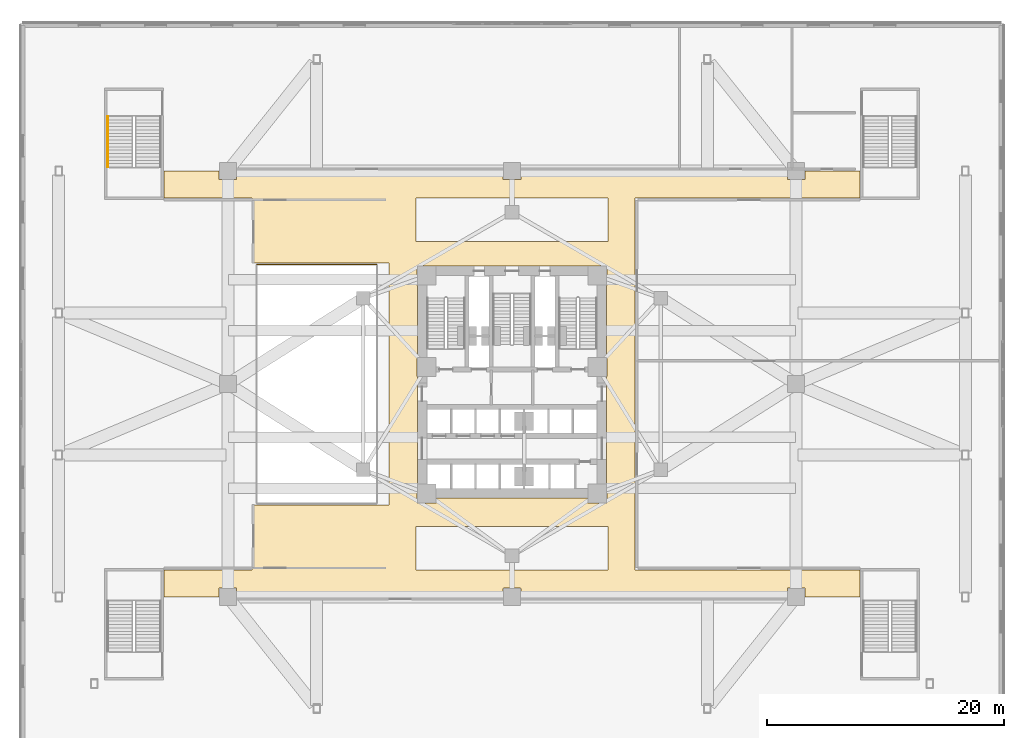
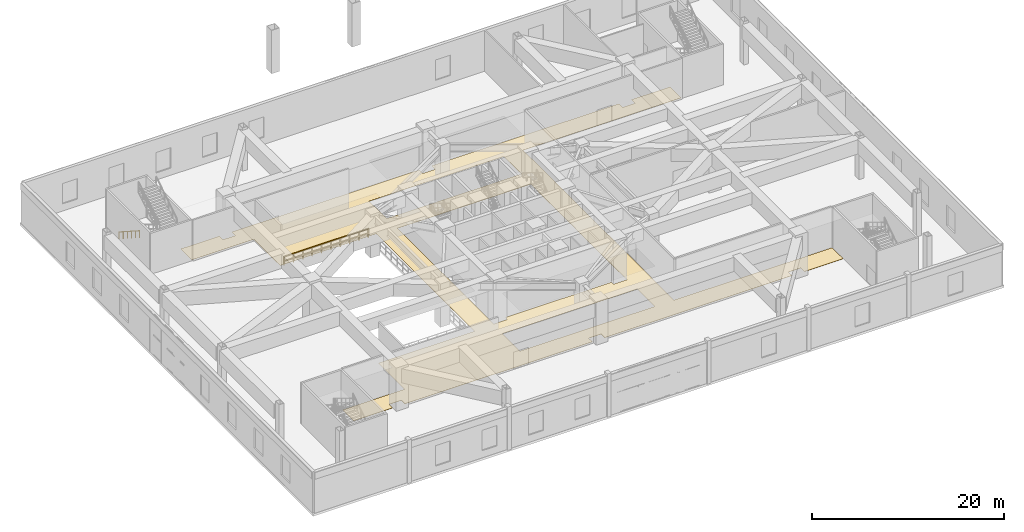
# One storey, part 18 of 23: 2 railings, 1 covering.
"""IFC4 building model written with IfcOpenShell, lengths in metres."""

from ifc_helpers import new_model, si_unit, direction, frame, origin, origin_2d, place, context, subcontext, project, spatial, polyline, rectangle, outline, extrude, material, layer, layer_set, type_object, element, save


model = new_model("IFC4")

# Units and contexts
model_context = context("Model", 3, precision=1e-05, world=origin(), true_north=direction((0.0, 1.0)))
body_context = subcontext(model_context, "Body", "Model", "MODEL_VIEW")
ifc_project = project(units=[si_unit("LENGTHUNIT", "METRE"), si_unit("AREAUNIT", "SQUARE_METRE"), si_unit("VOLUMEUNIT", "CUBIC_METRE"), si_unit("PLANEANGLEUNIT", "RADIAN"), si_unit("MASSUNIT", "GRAM", prefix="KILO")], contexts=[model_context])

# Site, building, storey
site_placement = place(None, origin())
site = spatial("IfcSite", under=ifc_project, at=site_placement, CompositionType="ELEMENT")
building_placement = place(site_placement, origin())
building = spatial("IfcBuilding", under=site, at=building_placement, Name="Apsidion Concourse Tower", CompositionType="ELEMENT")
storey_placement = place(building_placement, frame((0.0, 0.0, 6.0)))
storey = spatial("IfcBuildingStorey", under=building, at=storey_placement, Name="L01", CompositionType="ELEMENT", Elevation=6.0)

# Covering
ifc_material_1 = material(Name="Honed travertine floor finish", Category="masonry")
ifc_layer = layer(ifc_material_1, 0.02001953125)
ifc_layer_set = layer_set([ifc_layer], Name="Honed travertine floor finish")
covering_type = type_object("IfcCoveringType", Name="COV-FLOR-20", PredefinedType="FLOORING", material=ifc_layer_set)
covering_placement = place(storey_placement, origin())
element("IfcCovering", 1, at=covering_placement, inside=storey, type_object=covering_type, Name="L01 Honed Travertine Floor Finish 2", PredefinedType="FLOORING", context=body_context, shape_type="SweptSolid", body=[
    extrude(outline(polyline([(0.7451171875, -18.0), (0.7451171875, -17.27490234375), (0.744873046875, -17.27294921875), (0.74462890625, -17.27099609375), (0.744140625, -17.269287109375), (0.743408203125, -17.267333984375), (0.74267578125, -17.265625), (0.74169921875, -17.263916015625), (0.740478515625, -17.26220703125), (0.739013671875, -17.260986328125), (0.73779296875, -17.259521484375), (0.736083984375, -17.25830078125), (0.734375, -17.25732421875), (0.732666015625, -17.256591796875), (0.730712890625, -17.255859375), (0.72900390625, -17.25537109375), (0.72705078125, -17.255126953125), (0.72509765625, -17.2548828125), (-0.72509765625, -17.2548828125), (-0.72705078125, -17.255126953125), (-0.72900390625, -17.25537109375), (-0.730712890625, -17.255859375), (-0.732666015625, -17.256591796875), (-0.734375, -17.25732421875), (-0.736083984375, -17.25830078125), (-0.73779296875, -17.259521484375), (-0.739013671875, -17.260986328125), (-0.740478515625, -17.26220703125), (-0.74169921875, -17.263916015625), (-0.74267578125, -17.265625), (-0.743408203125, -17.267333984375), (-0.744140625, -17.269287109375), (-0.74462890625, -17.27099609375), (-0.744873046875, -17.27294921875), (-0.7451171875, -17.27490234375), (-0.7451171875, -18.0), (-8.10009765625, -18.0), (-10.39990234375, -18.0), (-23.2548828125, -18.0), (-23.2548828125, -17.27490234375), (-23.255126953125, -17.27294921875), (-23.25537109375, -17.27099609375), (-23.255859375, -17.269287109375), (-23.256591796875, -17.267333984375), (-23.25732421875, -17.265625), (-23.25830078125, -17.263916015625), (-23.259521484375, -17.26220703125), (-23.260986328125, -17.260986328125), (-23.26220703125, -17.259521484375), (-23.263916015625, -17.25830078125), (-23.265625, -17.25732421875), (-23.267333984375, -17.256591796875), (-23.269287109375, -17.255859375), (-23.27099609375, -17.25537109375), (-23.27294921875, -17.255126953125), (-23.27490234375, -17.2548828125), (-24.72509765625, -17.2548828125), (-24.72705078125, -17.255126953125), (-24.72900390625, -17.25537109375), (-24.730712890625, -17.255859375), (-24.732666015625, -17.256591796875), (-24.734375, -17.25732421875), (-24.736083984375, -17.25830078125), (-24.73779296875, -17.259521484375), (-24.739013671875, -17.260986328125), (-24.740478515625, -17.26220703125), (-24.74169921875, -17.263916015625), (-24.74267578125, -17.265625), (-24.743408203125, -17.267333984375), (-24.744140625, -17.269287109375), (-24.74462890625, -17.27099609375), (-24.744873046875, -17.27294921875), (-24.7451171875, -17.27490234375), (-24.7451171875, -18.0), (-29.39990234375, -18.0), (-29.39990234375, -15.699951171875), (-21.949951171875, -15.699951171875), (-21.949951171875, -10.219970703125), (-10.39990234375, -10.219970703125), (-10.39990234375, 10.219970703125), (-21.949951171875, 10.219970703125), (-21.949951171875, 15.699951171875), (-29.39990234375, 15.699951171875), (-29.39990234375, 18.0), (-24.7451171875, 18.0), (-24.7451171875, 17.27490234375), (-24.744873046875, 17.27294921875), (-24.74462890625, 17.27099609375), (-24.744140625, 17.269287109375), (-24.743408203125, 17.267333984375), (-24.74267578125, 17.265625), (-24.74169921875, 17.263916015625), (-24.740478515625, 17.26220703125), (-24.739013671875, 17.260986328125), (-24.73779296875, 17.259521484375), (-24.736083984375, 17.25830078125), (-24.734375, 17.25732421875), (-24.732666015625, 17.256591796875), (-24.730712890625, 17.255859375), (-24.72900390625, 17.25537109375), (-24.72705078125, 17.255126953125), (-24.72509765625, 17.2548828125), (-23.27490234375, 17.2548828125), (-23.27294921875, 17.255126953125), (-23.27099609375, 17.25537109375), (-23.269287109375, 17.255859375), (-23.267333984375, 17.256591796875), (-23.265625, 17.25732421875), (-23.263916015625, 17.25830078125), (-23.26220703125, 17.259521484375), (-23.260986328125, 17.260986328125), (-23.259521484375, 17.26220703125), (-23.25830078125, 17.263916015625), (-23.25732421875, 17.265625), (-23.256591796875, 17.267333984375), (-23.255859375, 17.269287109375), (-23.25537109375, 17.27099609375), (-23.255126953125, 17.27294921875), (-23.2548828125, 17.27490234375), (-23.2548828125, 18.0), (-10.39990234375, 18.0), (-8.10009765625, 18.0), (-0.7451171875, 18.0), (-0.7451171875, 17.27490234375), (-0.744873046875, 17.27294921875), (-0.74462890625, 17.27099609375), (-0.744140625, 17.269287109375), (-0.743408203125, 17.267333984375), (-0.74267578125, 17.265625), (-0.74169921875, 17.263916015625), (-0.740478515625, 17.26220703125), (-0.739013671875, 17.260986328125), (-0.73779296875, 17.259521484375), (-0.736083984375, 17.25830078125), (-0.734375, 17.25732421875), (-0.732666015625, 17.256591796875), (-0.730712890625, 17.255859375), (-0.72900390625, 17.25537109375), (-0.72705078125, 17.255126953125), (-0.72509765625, 17.2548828125), (0.72509765625, 17.2548828125), (0.72705078125, 17.255126953125), (0.72900390625, 17.25537109375), (0.730712890625, 17.255859375), (0.732666015625, 17.256591796875), (0.734375, 17.25732421875), (0.736083984375, 17.25830078125), (0.73779296875, 17.259521484375), (0.739013671875, 17.260986328125), (0.740478515625, 17.26220703125), (0.74169921875, 17.263916015625), (0.74267578125, 17.265625), (0.743408203125, 17.267333984375), (0.744140625, 17.269287109375), (0.74462890625, 17.27099609375), (0.744873046875, 17.27294921875), (0.7451171875, 17.27490234375), (0.7451171875, 18.0), (8.10009765625, 18.0), (10.39990234375, 18.0), (23.2548828125, 18.0), (23.2548828125, 17.27490234375), (23.255126953125, 17.27294921875), (23.25537109375, 17.27099609375), (23.255859375, 17.269287109375), (23.256591796875, 17.267333984375), (23.25732421875, 17.265625), (23.25830078125, 17.263916015625), (23.259521484375, 17.26220703125), (23.260986328125, 17.260986328125), (23.26220703125, 17.259521484375), (23.263916015625, 17.25830078125), (23.265625, 17.25732421875), (23.267333984375, 17.256591796875), (23.269287109375, 17.255859375), (23.27099609375, 17.25537109375), (23.27294921875, 17.255126953125), (23.27490234375, 17.2548828125), (24.72509765625, 17.2548828125), (24.72705078125, 17.255126953125), (24.72900390625, 17.25537109375), (24.730712890625, 17.255859375), (24.732666015625, 17.256591796875), (24.734375, 17.25732421875), (24.736083984375, 17.25830078125), (24.73779296875, 17.259521484375), (24.739013671875, 17.260986328125), (24.740478515625, 17.26220703125), (24.74169921875, 17.263916015625), (24.74267578125, 17.265625), (24.743408203125, 17.267333984375), (24.744140625, 17.269287109375), (24.74462890625, 17.27099609375), (24.744873046875, 17.27294921875), (24.7451171875, 17.27490234375), (24.7451171875, 18.0), (29.39990234375, 18.0), (29.39990234375, 15.699951171875), (10.39990234375, 15.699951171875), (10.39990234375, 12.050048828125), (10.39990234375, -12.050048828125), (10.39990234375, -15.699951171875), (29.39990234375, -15.699951171875), (29.39990234375, -18.0), (24.7451171875, -18.0), (24.7451171875, -17.27490234375), (24.744873046875, -17.27294921875), (24.74462890625, -17.27099609375), (24.744140625, -17.269287109375), (24.743408203125, -17.267333984375), (24.74267578125, -17.265625), (24.74169921875, -17.263916015625), (24.740478515625, -17.26220703125), (24.739013671875, -17.260986328125), (24.73779296875, -17.259521484375), (24.736083984375, -17.25830078125), (24.734375, -17.25732421875), (24.732666015625, -17.256591796875), (24.730712890625, -17.255859375), (24.72900390625, -17.25537109375), (24.72705078125, -17.255126953125), (24.72509765625, -17.2548828125), (23.27490234375, -17.2548828125), (23.27294921875, -17.255126953125), (23.27099609375, -17.25537109375), (23.269287109375, -17.255859375), (23.267333984375, -17.256591796875), (23.265625, -17.25732421875), (23.263916015625, -17.25830078125), (23.26220703125, -17.259521484375), (23.260986328125, -17.260986328125), (23.259521484375, -17.26220703125), (23.25830078125, -17.263916015625), (23.25732421875, -17.265625), (23.256591796875, -17.267333984375), (23.255859375, -17.269287109375), (23.25537109375, -17.27099609375), (23.255126953125, -17.27294921875), (23.2548828125, -17.27490234375), (23.2548828125, -18.0), (10.39990234375, -18.0), (8.10009765625, -18.0), (0.7451171875, -18.0)]), holes=[polyline([(-8.10009765625, 12.050048828125), (8.10009765625, 12.050048828125), (8.10009765625, 15.699951171875), (-8.10009765625, 15.699951171875), (-8.10009765625, 12.050048828125)]), polyline([(8.10009765625, -12.050048828125), (-8.10009765625, -12.050048828125), (-8.10009765625, -15.699951171875), (8.10009765625, -15.699951171875), (8.10009765625, -12.050048828125)]), polyline([(-6.3798828125, 9.949951171875), (-6.3798828125, 9.949951171875), (-6.380126953125, 9.951904296875), (-6.38037109375, 9.953857421875), (-6.380859375, 9.955810546875), (-6.381591796875, 9.957763671875), (-6.38232421875, 9.95947265625), (-6.38330078125, 9.961181640625), (-6.384521484375, 9.962646484375), (-6.385986328125, 9.964111328125), (-6.38720703125, 9.965576171875), (-6.388916015625, 9.966552734375), (-6.390625, 9.967529296875), (-6.392333984375, 9.968505859375), (-6.394287109375, 9.968994140625), (-6.39599609375, 9.969482421875), (-6.39794921875, 9.969970703125), (-6.39990234375, 9.969970703125), (-8.0, 9.969970703125), (-8.001953125, 9.969970703125), (-8.00390625, 9.969482421875), (-8.005859375, 9.968994140625), (-8.0078125, 9.968505859375), (-8.009521484375, 9.967529296875), (-8.010986328125, 9.966552734375), (-8.0126953125, 9.965576171875), (-8.01416015625, 9.964111328125), (-8.015380859375, 9.962646484375), (-8.0166015625, 9.961181640625), (-8.017578125, 9.95947265625), (-8.0185546875, 9.957763671875), (-8.01904296875, 9.955810546875), (-8.01953125, 9.953857421875), (-8.02001953125, 9.951904296875), (-8.02001953125, 9.949951171875), (-8.02001953125, 8.35009765625), (-8.02001953125, 8.347900390625), (-8.01953125, 8.34619140625), (-8.01904296875, 8.34423828125), (-8.0185546875, 8.34228515625), (-8.017578125, 8.340576171875), (-8.0166015625, 8.3388671875), (-8.015380859375, 8.33740234375), (-8.01416015625, 8.3359375), (-8.0126953125, 8.33447265625), (-8.010986328125, 8.33349609375), (-8.009521484375, 8.33251953125), (-8.0078125, 8.33154296875), (-8.005859375, 8.330810546875), (-8.00390625, 8.330322265625), (-8.001953125, 8.330078125), (-8.0, 8.330078125), (-8.0, 2.27001953125), (-8.001953125, 2.27001953125), (-8.00390625, 2.26953125), (-8.005859375, 2.26904296875), (-8.0078125, 2.2685546875), (-8.009521484375, 2.267578125), (-8.010986328125, 2.2666015625), (-8.0126953125, 2.265380859375), (-8.01416015625, 2.26416015625), (-8.015380859375, 2.2626953125), (-8.0166015625, 2.260986328125), (-8.017578125, 2.259521484375), (-8.0185546875, 2.2578125), (-8.01904296875, 2.255859375), (-8.01953125, 2.25390625), (-8.02001953125, 2.251953125), (-8.02001953125, 2.25), (-8.02001953125, 0.64990234375), (-8.02001953125, 0.64794921875), (-8.01953125, 0.64599609375), (-8.01904296875, 0.644287109375), (-8.0185546875, 0.642333984375), (-8.017578125, 0.640625), (-8.0166015625, 0.638916015625), (-8.015380859375, 0.63720703125), (-8.01416015625, 0.635986328125), (-8.0126953125, 0.634521484375), (-8.010986328125, 0.63330078125), (-8.009521484375, 0.63232421875), (-8.0078125, 0.631591796875), (-8.005859375, 0.630859375), (-8.00390625, 0.63037109375), (-8.001953125, 0.630126953125), (-8.0, 0.6298828125), (-8.0, -8.429931640625), (-8.001953125, -8.43017578125), (-8.00390625, -8.430419921875), (-8.005859375, -8.430908203125), (-8.0078125, -8.431396484375), (-8.009521484375, -8.432373046875), (-8.010986328125, -8.433349609375), (-8.0126953125, -8.4345703125), (-8.01416015625, -8.435791015625), (-8.015380859375, -8.437255859375), (-8.0166015625, -8.43896484375), (-8.017578125, -8.440673828125), (-8.0185546875, -8.4423828125), (-8.01904296875, -8.444091796875), (-8.01953125, -8.446044921875), (-8.02001953125, -8.447998046875), (-8.02001953125, -8.449951171875), (-8.02001953125, -10.050048828125), (-8.02001953125, -10.052001953125), (-8.01953125, -10.053955078125), (-8.01904296875, -10.055908203125), (-8.0185546875, -10.0576171875), (-8.017578125, -10.059326171875), (-8.0166015625, -10.06103515625), (-8.015380859375, -10.062744140625), (-8.01416015625, -10.064208984375), (-8.0126953125, -10.0654296875), (-8.010986328125, -10.066650390625), (-8.009521484375, -10.067626953125), (-8.0078125, -10.068603515625), (-8.005859375, -10.069091796875), (-8.00390625, -10.069580078125), (-8.001953125, -10.06982421875), (-8.0, -10.070068359375), (-6.39990234375, -10.070068359375), (-6.39794921875, -10.06982421875), (-6.39599609375, -10.069580078125), (-6.394287109375, -10.069091796875), (-6.392333984375, -10.068603515625), (-6.390625, -10.067626953125), (-6.388916015625, -10.066650390625), (-6.38720703125, -10.0654296875), (-6.385986328125, -10.064208984375), (-6.384521484375, -10.062744140625), (-6.38330078125, -10.06103515625), (-6.38232421875, -10.059326171875), (-6.381591796875, -10.0576171875), (-6.380859375, -10.055908203125), (-6.38037109375, -10.053955078125), (-6.380126953125, -10.052001953125), (-6.3798828125, -10.050048828125), (-6.3798828125, -9.64990234375), (6.3798828125, -9.64990234375), (6.3798828125, -10.050048828125), (6.380126953125, -10.052001953125), (6.38037109375, -10.053955078125), (6.380859375, -10.055908203125), (6.381591796875, -10.0576171875), (6.38232421875, -10.059326171875), (6.38330078125, -10.06103515625), (6.384521484375, -10.062744140625), (6.385986328125, -10.064208984375), (6.38720703125, -10.0654296875), (6.388916015625, -10.066650390625), (6.390625, -10.067626953125), (6.392333984375, -10.068603515625), (6.394287109375, -10.069091796875), (6.39599609375, -10.069580078125), (6.39794921875, -10.06982421875), (6.39990234375, -10.070068359375), (8.0, -10.070068359375), (8.001953125, -10.06982421875), (8.00390625, -10.069580078125), (8.005859375, -10.069091796875), (8.0078125, -10.068603515625), (8.009521484375, -10.067626953125), (8.010986328125, -10.066650390625), (8.0126953125, -10.0654296875), (8.01416015625, -10.064208984375), (8.015380859375, -10.062744140625), (8.0166015625, -10.06103515625), (8.017578125, -10.059326171875), (8.0185546875, -10.0576171875), (8.01904296875, -10.055908203125), (8.01953125, -10.053955078125), (8.02001953125, -10.052001953125), (8.02001953125, -10.050048828125), (8.02001953125, -8.449951171875), (8.02001953125, -8.447998046875), (8.01953125, -8.446044921875), (8.01904296875, -8.444091796875), (8.0185546875, -8.4423828125), (8.017578125, -8.440673828125), (8.0166015625, -8.43896484375), (8.015380859375, -8.437255859375), (8.01416015625, -8.435791015625), (8.0126953125, -8.4345703125), (8.010986328125, -8.433349609375), (8.009521484375, -8.432373046875), (8.0078125, -8.431396484375), (8.005859375, -8.430908203125), (8.00390625, -8.430419921875), (8.001953125, -8.43017578125), (8.0, -8.429931640625), (8.0, 0.6298828125), (8.001953125, 0.630126953125), (8.00390625, 0.63037109375), (8.005859375, 0.630859375), (8.0078125, 0.631591796875), (8.009521484375, 0.63232421875), (8.010986328125, 0.63330078125), (8.0126953125, 0.634521484375), (8.01416015625, 0.635986328125), (8.015380859375, 0.63720703125), (8.0166015625, 0.638916015625), (8.017578125, 0.640625), (8.0185546875, 0.642333984375), (8.01904296875, 0.644287109375), (8.01953125, 0.64599609375), (8.02001953125, 0.64794921875), (8.02001953125, 0.64990234375), (8.02001953125, 2.25), (8.02001953125, 2.251953125), (8.01953125, 2.25390625), (8.01904296875, 2.255859375), (8.0185546875, 2.2578125), (8.017578125, 2.259521484375), (8.0166015625, 2.260986328125), (8.015380859375, 2.2626953125), (8.01416015625, 2.26416015625), (8.0126953125, 2.265380859375), (8.010986328125, 2.2666015625), (8.009521484375, 2.267578125), (8.0078125, 2.2685546875), (8.005859375, 2.26904296875), (8.00390625, 2.26953125), (8.001953125, 2.27001953125), (8.0, 2.27001953125), (8.0, 8.330078125), (8.001953125, 8.330078125), (8.00390625, 8.330322265625), (8.005859375, 8.330810546875), (8.0078125, 8.33154296875), (8.009521484375, 8.33251953125), (8.010986328125, 8.33349609375), (8.0126953125, 8.33447265625), (8.01416015625, 8.3359375), (8.015380859375, 8.33740234375), (8.0166015625, 8.3388671875), (8.017578125, 8.340576171875), (8.0185546875, 8.34228515625), (8.01904296875, 8.34423828125), (8.01953125, 8.34619140625), (8.02001953125, 8.347900390625), (8.02001953125, 8.35009765625), (8.02001953125, 9.949951171875), (8.02001953125, 9.951904296875), (8.01953125, 9.953857421875), (8.01904296875, 9.955810546875), (8.0185546875, 9.957763671875), (8.017578125, 9.95947265625), (8.0166015625, 9.961181640625), (8.015380859375, 9.962646484375), (8.01416015625, 9.964111328125), (8.0126953125, 9.965576171875), (8.010986328125, 9.966552734375), (8.009521484375, 9.967529296875), (8.0078125, 9.968505859375), (8.005859375, 9.968994140625), (8.00390625, 9.969482421875), (8.001953125, 9.969970703125), (8.0, 9.969970703125), (6.39990234375, 9.969970703125), (6.39794921875, 9.969970703125), (6.39599609375, 9.969482421875), (6.394287109375, 9.968994140625), (6.392333984375, 9.968505859375), (6.390625, 9.967529296875), (6.388916015625, 9.966552734375), (6.38720703125, 9.965576171875), (6.385986328125, 9.964111328125), (6.384521484375, 9.962646484375), (6.38330078125, 9.961181640625), (6.38232421875, 9.95947265625), (6.381591796875, 9.957763671875), (6.380859375, 9.955810546875), (6.38037109375, 9.953857421875), (6.380126953125, 9.951904296875), (6.3798828125, 9.949951171875), (6.3798828125, 9.949951171875), (-6.3798828125, 9.949951171875)])]), origin(), (0.0, 0.0, 1.0), 0.02001953125),
])

# Railings
ifc_material_2 = material(Name="Brushed stainless steel 316", Category="steel")
railing_type_1 = type_object("IfcRailingType", Name="RL-HAND-900", PredefinedType="HANDRAIL", material=ifc_material_2)
railing_1_placement = place(storey_placement, frame((-34.14990234375, 22.60009765625, 0.171875)))
element("IfcRailing", 2, at=railing_1_placement, inside=storey, type_object=railing_type_1, Name="L01 ST-P3 stair handrail 1", PredefinedType="HANDRAIL", context=body_context, shape_type="SweptSolid", body=[
    extrude(rectangle(XDim=0.048095703125, YDim=0.048095703125, at=origin_2d()), frame((0.0, 0.0, 0.8759765625), z_axis=(0.0, -0.84102707462, 0.540993031153), x_axis=(1.0, 0.0, 0.0)), (0.0, 0.0, 1.0), 5.083251953125),
    extrude(rectangle(XDim=0.0419921875, YDim=0.0419921875, at=origin_2d()), origin(), (0.0, 0.0, 1.0), 0.851806640625),
    extrude(rectangle(XDim=0.0419921875, YDim=0.0419921875, at=origin_2d()), frame((0.0, -0.85498046875, 0.550048828125)), (0.0, 0.0, 1.0), 0.851806640625),
    extrude(rectangle(XDim=0.0419921875, YDim=0.0419921875, at=origin_2d()), frame((0.0, -1.7099609375, 1.10009765625)), (0.0, 0.0, 1.0), 0.851806640625),
    extrude(rectangle(XDim=0.0419921875, YDim=0.0419921875, at=origin_2d()), frame((0.0, -2.565185546875, 1.64990234375)), (0.0, 0.0, 1.0), 0.851806640625),
    extrude(rectangle(XDim=0.0419921875, YDim=0.0419921875, at=origin_2d()), frame((0.0, -3.420166015625, 2.199951171875)), (0.0, 0.0, 1.0), 0.851806640625),
    extrude(rectangle(XDim=0.0419921875, YDim=0.0419921875, at=origin_2d()), frame((0.0, -4.275146484375, 2.75)), (0.0, 0.0, 1.0), 0.851806640625),
])
railing_type_2 = type_object("IfcRailingType", Name="RL-VOID-1120", PredefinedType="GUARDRAIL", material=ifc_material_2)
railing_2_placement = place(storey_placement, frame((-11.449951171875, 10.080078125, 0.0)))
element("IfcRailing", 3, at=railing_2_placement, inside=storey, type_object=railing_type_2, Name="L01 Street Concourse Atrium Void Guardrail N", PredefinedType="GUARDRAIL", context=body_context, shape_type="SweptSolid", body=[
    extrude(rectangle(XDim=0.048095703125, YDim=0.048095703125, at=origin_2d()), frame((0.0, 0.0, 1.09619140625), z_axis=(-1.0, 0.0, 0.0), x_axis=(0.0, -1.0, 0.0)), (0.0, 0.0, 1.0), 10.10009765625),
    extrude(rectangle(XDim=0.048095703125, YDim=0.048095703125, at=origin_2d()), frame((0.0, 0.0, 0.5361328125), z_axis=(-1.0, 0.0, 0.0), x_axis=(0.0, -1.0, 0.0)), (0.0, 0.0, 1.0), 10.10009765625),
    extrude(rectangle(XDim=0.0419921875, YDim=0.0419921875, at=origin_2d()), origin(), (0.0, 0.0, 1.0), 1.072021484375),
    extrude(rectangle(XDim=0.0419921875, YDim=0.0419921875, at=origin_2d()), frame((-1.122314453125, 0.0, 0.0)), (0.0, 0.0, 1.0), 1.072021484375),
    extrude(rectangle(XDim=0.0419921875, YDim=0.0419921875, at=origin_2d()), frame((-2.244384765625, 0.0, 0.0)), (0.0, 0.0, 1.0), 1.072021484375),
    extrude(rectangle(XDim=0.0419921875, YDim=0.0419921875, at=origin_2d()), frame((-3.36669921875, 0.0, 0.0)), (0.0, 0.0, 1.0), 1.072021484375),
    extrude(rectangle(XDim=0.0419921875, YDim=0.0419921875, at=origin_2d()), frame((-4.489013671875, 0.0, 0.0)), (0.0, 0.0, 1.0), 1.072021484375),
    extrude(rectangle(XDim=0.0419921875, YDim=0.0419921875, at=origin_2d()), frame((-5.611083984375, 0.0, 0.0)), (0.0, 0.0, 1.0), 1.072021484375),
    extrude(rectangle(XDim=0.0419921875, YDim=0.0419921875, at=origin_2d()), frame((-6.7333984375, 0.0, 0.0)), (0.0, 0.0, 1.0), 1.072021484375),
    extrude(rectangle(XDim=0.0419921875, YDim=0.0419921875, at=origin_2d()), frame((-7.855712890625, 0.0, 0.0)), (0.0, 0.0, 1.0), 1.072021484375),
    extrude(rectangle(XDim=0.0419921875, YDim=0.0419921875, at=origin_2d()), frame((-8.977783203125, 0.0, 0.0)), (0.0, 0.0, 1.0), 1.072021484375),
    extrude(rectangle(XDim=0.0419921875, YDim=0.0419921875, at=origin_2d()), frame((-10.10009765625, 0.0, 0.0)), (0.0, 0.0, 1.0), 1.072021484375),
])

save(model, "model.ifc")
